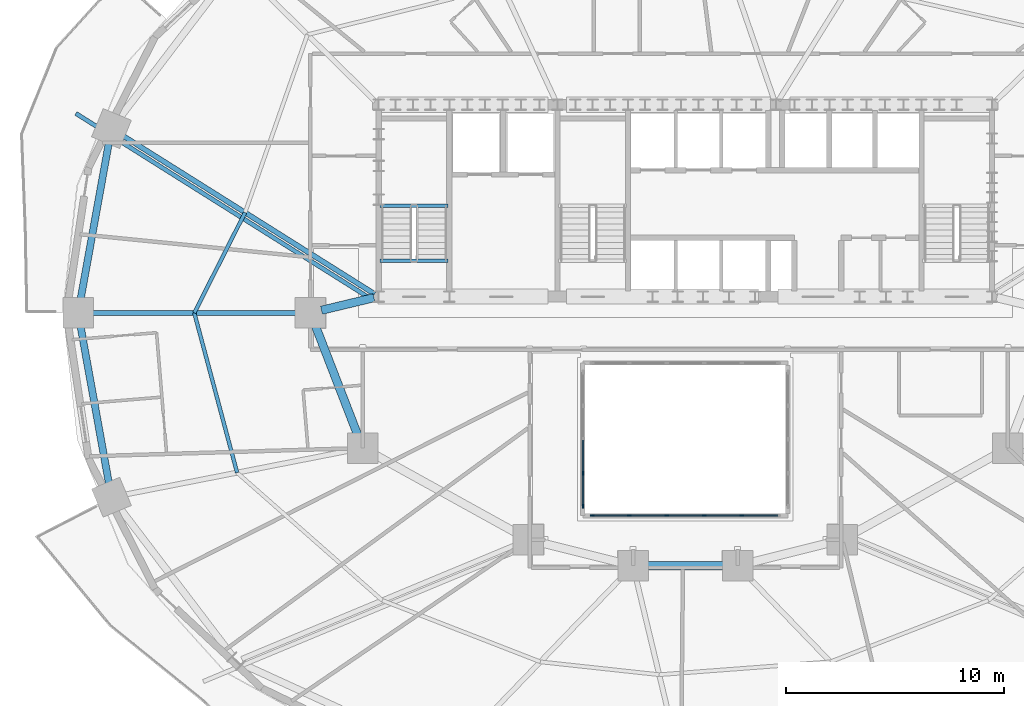
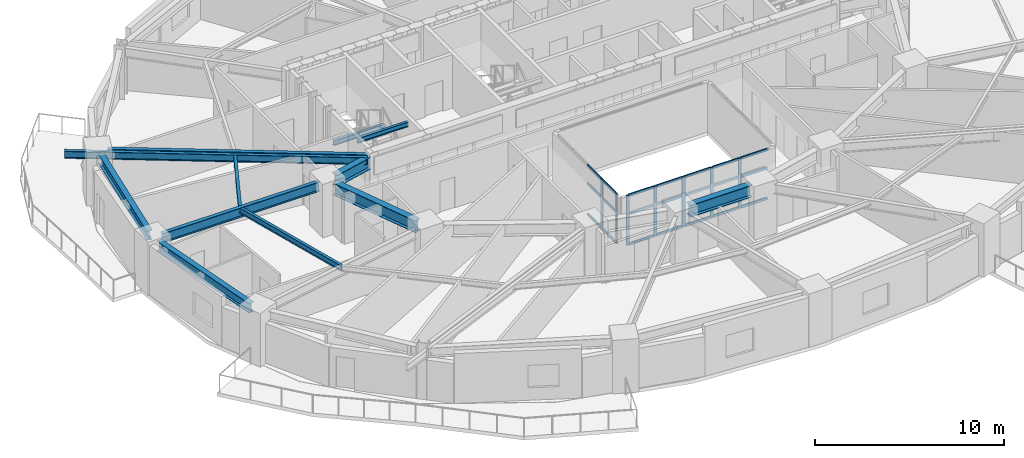
# One storey, part 3 of 15: 28 members, 12 beams, 2 elements without a shape of their own.
"""IFC4 building model written with IfcOpenShell, lengths in metres."""

from ifc_helpers import new_model, si_unit, direction, frame, origin, origin_2d, place, context, subcontext, project, spatial, rectangle, i_section, extrude, material, material_profile, profile_set, type_object, element, aggregate, save


model = new_model("IFC4")

# Units and contexts
model_context = context("Model", 3, precision=1e-05, world=origin(), true_north=direction((0.0, 1.0)))
body_context = subcontext(model_context, "Body", "Model", "MODEL_VIEW")
ifc_project = project(units=[si_unit("LENGTHUNIT", "METRE"), si_unit("AREAUNIT", "SQUARE_METRE"), si_unit("VOLUMEUNIT", "CUBIC_METRE"), si_unit("PLANEANGLEUNIT", "RADIAN"), si_unit("MASSUNIT", "GRAM", prefix="KILO")], contexts=[model_context])

# Site, building, storey
site_placement = place(None, origin())
site = spatial("IfcSite", under=ifc_project, at=site_placement, CompositionType="ELEMENT")
building_placement = place(site_placement, origin())
building = spatial("IfcBuilding", under=site, at=building_placement, Name="Haldorwick Loom Tower", CompositionType="ELEMENT")
storey_placement = place(building_placement, frame((0.0, 0.0, 92.14990234375)))
storey = spatial("IfcBuildingStorey", under=building, at=storey_placement, Name="L24", CompositionType="ELEMENT", Elevation=92.14990234375)

# Curtain wall, members
ifc_material_1 = material(Name="Thermally Broken Anodized Aluminium Curtain Wall Framing", Category="aluminium")
curtain_wall_type = type_object("IfcCurtainWallType", Name="ARC-CW-03", PredefinedType="NOTDEFINED", material=ifc_material_1)
curtain_wall_1_placement = place(storey_placement, origin())
curtain_wall_1 = element("IfcCurtainWall", 1, at=curtain_wall_1_placement, inside=storey, type_object=curtain_wall_type, Name="L24 Atrium Glazed Screen S", PredefinedType="NOTDEFINED")
ifc_material_profile_1 = material_profile(ifc_material_1, rectangle(XDim=0.06591796875, YDim=0.18505859375, at=origin_2d()), Name="ALU_MUL_66X185", Category="aluminium")
ifc_profile_set_1 = profile_set([ifc_material_profile_1], Name="Thermally Broken Anodized Aluminium Curtain Wall Framing")
member_type_1 = type_object("IfcMemberType", Name="ARC-CWM-03", PredefinedType="MULLION", material=ifc_profile_set_1)
member_1_placement = place(storey_placement, frame((38.580078125, 16.699951171875, 0.0), z_axis=(0.0, 0.0, 1.0), x_axis=(0.0, -1.0, 0.0)))
member_1 = element("IfcMember", 2, at=member_1_placement, type_object=member_type_1, Name="CW-03 mullion 2", PredefinedType="MULLION", context=body_context, shape_type="SweptSolid", body=[
    extrude(rectangle(XDim=0.06591796875, YDim=0.18505859375, at=origin_2d()), origin(), (0.0, 0.0, 1.0), 3.210205078125),
])
member_2_placement = place(storey_placement, frame((36.860107421875, 16.699951171875, 0.0), z_axis=(0.0, 0.0, 1.0), x_axis=(0.0, -1.0, 0.0)))
member_2 = element("IfcMember", 3, at=member_2_placement, type_object=member_type_1, Name="CW-03 mullion 3", PredefinedType="MULLION", context=body_context, shape_type="SweptSolid", body=[
    extrude(rectangle(XDim=0.06591796875, YDim=0.18505859375, at=origin_2d()), origin(), (0.0, 0.0, 1.0), 3.210205078125),
])
member_3_placement = place(storey_placement, frame((35.139892578125, 16.699951171875, 0.0), z_axis=(0.0, 0.0, 1.0), x_axis=(0.0, -1.0, 0.0)))
member_3 = element("IfcMember", 4, at=member_3_placement, type_object=member_type_1, Name="CW-03 mullion 4", PredefinedType="MULLION", context=body_context, shape_type="SweptSolid", body=[
    extrude(rectangle(XDim=0.06591796875, YDim=0.18505859375, at=origin_2d()), origin(), (0.0, 0.0, 1.0), 3.210205078125),
])
member_4_placement = place(storey_placement, frame((33.419921875, 16.699951171875, 0.0), z_axis=(0.0, 0.0, 1.0), x_axis=(0.0, -1.0, 0.0)))
member_4 = element("IfcMember", 5, at=member_4_placement, type_object=member_type_1, Name="CW-03 mullion 5", PredefinedType="MULLION", context=body_context, shape_type="SweptSolid", body=[
    extrude(rectangle(XDim=0.06591796875, YDim=0.18505859375, at=origin_2d()), origin(), (0.0, 0.0, 1.0), 3.210205078125),
])
member_5_placement = place(storey_placement, frame((31.73291015625, 16.699951171875, 0.0), z_axis=(0.0, 0.0, 1.0), x_axis=(0.0, -1.0, 0.0)))
member_5 = element("IfcMember", 6, at=member_5_placement, type_object=member_type_1, Name="CW-03 mullion 6", PredefinedType="MULLION", context=body_context, shape_type="SweptSolid", body=[
    extrude(rectangle(XDim=0.06591796875, YDim=0.18505859375, at=origin_2d()), origin(), (0.0, 0.0, 1.0), 3.210205078125),
])

curtain_wall_2_placement = place(storey_placement, origin())
curtain_wall_2 = element("IfcCurtainWall", 7, at=curtain_wall_2_placement, inside=storey, type_object=curtain_wall_type, Name="L24 Atrium Glazed Screen W", PredefinedType="NOTDEFINED")
member_6_placement = place(storey_placement, frame((31.300048828125, 17.133056640625, 0.0), z_axis=(0.0, 0.0, 1.0), x_axis=(-1.0, 0.0, 0.0)))
member_6 = element("IfcMember", 8, at=member_6_placement, type_object=member_type_1, Name="CW-03 mullion 1", PredefinedType="MULLION", context=body_context, shape_type="SweptSolid", body=[
    extrude(rectangle(XDim=0.06591796875, YDim=0.18505859375, at=origin_2d()), origin(), (0.0, 0.0, 1.0), 3.210205078125),
])
member_7_placement = place(storey_placement, frame((31.300048828125, 18.64990234375, 0.0), z_axis=(0.0, 0.0, 1.0), x_axis=(-1.0, 0.0, 0.0)))
member_7 = element("IfcMember", 9, at=member_7_placement, type_object=member_type_1, Name="CW-03 mullion 2", PredefinedType="MULLION", context=body_context, shape_type="SweptSolid", body=[
    extrude(rectangle(XDim=0.06591796875, YDim=0.18505859375, at=origin_2d()), origin(), (0.0, 0.0, 1.0), 3.210205078125),
])

# Member
ifc_material_profile_2 = material_profile(ifc_material_1, rectangle(XDim=0.06591796875, YDim=0.1650390625, at=origin_2d()), Name="ALU_TRN_66X165", Category="aluminium")
ifc_profile_set_2 = profile_set([ifc_material_profile_2], Name="Thermally Broken Anodized Aluminium Curtain Wall Framing")
member_type_2 = type_object("IfcMemberType", Name="ARC-CWT-03", PredefinedType="USERDEFINED", material=ifc_profile_set_2)
member_8_placement = place(storey_placement, frame((40.23388671875, 16.699951171875, 0.033203125), z_axis=(-1.0, 0.0, 0.0), x_axis=(0.0, -1.0, 0.0)))
member_8 = element("IfcMember", 10, at=member_8_placement, type_object=member_type_2, Name="CW-03 transom 1.1", ObjectType="TRANSOM", PredefinedType="USERDEFINED", context=body_context, shape_type="SweptSolid", body=[
    extrude(rectangle(XDim=0.06591796875, YDim=0.1650390625, at=origin_2d()), origin(), (0.0, 0.0, 1.0), 1.620849609375),
])

member_9_placement = place(storey_placement, frame((40.23388671875, 16.699951171875, 2.0), z_axis=(-1.0, 0.0, 0.0), x_axis=(0.0, -1.0, 0.0)))
member_9 = element("IfcMember", 11, at=member_9_placement, type_object=member_type_2, Name="CW-03 transom 1.2", ObjectType="TRANSOM", PredefinedType="USERDEFINED", context=body_context, shape_type="SweptSolid", body=[
    extrude(rectangle(XDim=0.06591796875, YDim=0.1650390625, at=origin_2d()), origin(), (0.0, 0.0, 1.0), 1.620849609375),
])

member_10_placement = place(storey_placement, frame((40.23388671875, 16.699951171875, 3.177001953125), z_axis=(-1.0, 0.0, 0.0), x_axis=(0.0, -1.0, 0.0)))
member_10 = element("IfcMember", 12, at=member_10_placement, type_object=member_type_2, Name="CW-03 transom 1.3", ObjectType="TRANSOM", PredefinedType="USERDEFINED", context=body_context, shape_type="SweptSolid", body=[
    extrude(rectangle(XDim=0.06591796875, YDim=0.1650390625, at=origin_2d()), origin(), (0.0, 0.0, 1.0), 1.620849609375),
])

member_11_placement = place(storey_placement, frame((38.547119140625, 16.699951171875, 0.033203125), z_axis=(-1.0, 0.0, 0.0), x_axis=(0.0, -1.0, 0.0)))
member_11 = element("IfcMember", 13, at=member_11_placement, type_object=member_type_2, Name="CW-03 transom 2.1", ObjectType="TRANSOM", PredefinedType="USERDEFINED", context=body_context, shape_type="SweptSolid", body=[
    extrude(rectangle(XDim=0.06591796875, YDim=0.1650390625, at=origin_2d()), origin(), (0.0, 0.0, 1.0), 1.654052734375),
])

member_12_placement = place(storey_placement, frame((38.547119140625, 16.699951171875, 2.0), z_axis=(-1.0, 0.0, 0.0), x_axis=(0.0, -1.0, 0.0)))
member_12 = element("IfcMember", 14, at=member_12_placement, type_object=member_type_2, Name="CW-03 transom 2.2", ObjectType="TRANSOM", PredefinedType="USERDEFINED", context=body_context, shape_type="SweptSolid", body=[
    extrude(rectangle(XDim=0.06591796875, YDim=0.1650390625, at=origin_2d()), origin(), (0.0, 0.0, 1.0), 1.654052734375),
])

member_13_placement = place(storey_placement, frame((38.547119140625, 16.699951171875, 3.177001953125), z_axis=(-1.0, 0.0, 0.0), x_axis=(0.0, -1.0, 0.0)))
member_13 = element("IfcMember", 15, at=member_13_placement, type_object=member_type_2, Name="CW-03 transom 2.3", ObjectType="TRANSOM", PredefinedType="USERDEFINED", context=body_context, shape_type="SweptSolid", body=[
    extrude(rectangle(XDim=0.06591796875, YDim=0.1650390625, at=origin_2d()), origin(), (0.0, 0.0, 1.0), 1.654052734375),
])

member_14_placement = place(storey_placement, frame((36.826904296875, 16.699951171875, 0.033203125), z_axis=(-1.0, 0.0, 0.0), x_axis=(0.0, -1.0, 0.0)))
member_14 = element("IfcMember", 16, at=member_14_placement, type_object=member_type_2, Name="CW-03 transom 3.1", ObjectType="TRANSOM", PredefinedType="USERDEFINED", context=body_context, shape_type="SweptSolid", body=[
    extrude(rectangle(XDim=0.06591796875, YDim=0.1650390625, at=origin_2d()), origin(), (0.0, 0.0, 1.0), 1.65380859375),
])

member_15_placement = place(storey_placement, frame((36.826904296875, 16.699951171875, 2.0), z_axis=(-1.0, 0.0, 0.0), x_axis=(0.0, -1.0, 0.0)))
member_15 = element("IfcMember", 17, at=member_15_placement, type_object=member_type_2, Name="CW-03 transom 3.2", ObjectType="TRANSOM", PredefinedType="USERDEFINED", context=body_context, shape_type="SweptSolid", body=[
    extrude(rectangle(XDim=0.06591796875, YDim=0.1650390625, at=origin_2d()), origin(), (0.0, 0.0, 1.0), 1.65380859375),
])

member_16_placement = place(storey_placement, frame((36.826904296875, 16.699951171875, 3.177001953125), z_axis=(-1.0, 0.0, 0.0), x_axis=(0.0, -1.0, 0.0)))
member_16 = element("IfcMember", 18, at=member_16_placement, type_object=member_type_2, Name="CW-03 transom 3.3", ObjectType="TRANSOM", PredefinedType="USERDEFINED", context=body_context, shape_type="SweptSolid", body=[
    extrude(rectangle(XDim=0.06591796875, YDim=0.1650390625, at=origin_2d()), origin(), (0.0, 0.0, 1.0), 1.65380859375),
])

member_17_placement = place(storey_placement, frame((35.10693359375, 16.699951171875, 0.033203125), z_axis=(-1.0, 0.0, 0.0), x_axis=(0.0, -1.0, 0.0)))
member_17 = element("IfcMember", 19, at=member_17_placement, type_object=member_type_2, Name="CW-03 transom 4.1", ObjectType="TRANSOM", PredefinedType="USERDEFINED", context=body_context, shape_type="SweptSolid", body=[
    extrude(rectangle(XDim=0.06591796875, YDim=0.1650390625, at=origin_2d()), origin(), (0.0, 0.0, 1.0), 1.654052734375),
])

member_18_placement = place(storey_placement, frame((35.10693359375, 16.699951171875, 2.0), z_axis=(-1.0, 0.0, 0.0), x_axis=(0.0, -1.0, 0.0)))
member_18 = element("IfcMember", 20, at=member_18_placement, type_object=member_type_2, Name="CW-03 transom 4.2", ObjectType="TRANSOM", PredefinedType="USERDEFINED", context=body_context, shape_type="SweptSolid", body=[
    extrude(rectangle(XDim=0.06591796875, YDim=0.1650390625, at=origin_2d()), origin(), (0.0, 0.0, 1.0), 1.654052734375),
])

member_19_placement = place(storey_placement, frame((35.10693359375, 16.699951171875, 3.177001953125), z_axis=(-1.0, 0.0, 0.0), x_axis=(0.0, -1.0, 0.0)))
member_19 = element("IfcMember", 21, at=member_19_placement, type_object=member_type_2, Name="CW-03 transom 4.3", ObjectType="TRANSOM", PredefinedType="USERDEFINED", context=body_context, shape_type="SweptSolid", body=[
    extrude(rectangle(XDim=0.06591796875, YDim=0.1650390625, at=origin_2d()), origin(), (0.0, 0.0, 1.0), 1.654052734375),
])

member_20_placement = place(storey_placement, frame((33.386962890625, 16.699951171875, 0.033203125), z_axis=(-1.0, 0.0, 0.0), x_axis=(0.0, -1.0, 0.0)))
member_20 = element("IfcMember", 22, at=member_20_placement, type_object=member_type_2, Name="CW-03 transom 5.1", ObjectType="TRANSOM", PredefinedType="USERDEFINED", context=body_context, shape_type="SweptSolid", body=[
    extrude(rectangle(XDim=0.06591796875, YDim=0.1650390625, at=origin_2d()), origin(), (0.0, 0.0, 1.0), 1.620849609375),
])

member_21_placement = place(storey_placement, frame((33.386962890625, 16.699951171875, 2.0), z_axis=(-1.0, 0.0, 0.0), x_axis=(0.0, -1.0, 0.0)))
member_21 = element("IfcMember", 23, at=member_21_placement, type_object=member_type_2, Name="CW-03 transom 5.2", ObjectType="TRANSOM", PredefinedType="USERDEFINED", context=body_context, shape_type="SweptSolid", body=[
    extrude(rectangle(XDim=0.06591796875, YDim=0.1650390625, at=origin_2d()), origin(), (0.0, 0.0, 1.0), 1.620849609375),
])

member_22_placement = place(storey_placement, frame((33.386962890625, 16.699951171875, 3.177001953125), z_axis=(-1.0, 0.0, 0.0), x_axis=(0.0, -1.0, 0.0)))
member_22 = element("IfcMember", 24, at=member_22_placement, type_object=member_type_2, Name="CW-03 transom 5.3", ObjectType="TRANSOM", PredefinedType="USERDEFINED", context=body_context, shape_type="SweptSolid", body=[
    extrude(rectangle(XDim=0.06591796875, YDim=0.1650390625, at=origin_2d()), origin(), (0.0, 0.0, 1.0), 1.620849609375),
])

aggregate(curtain_wall_1, [member_1, member_2, member_3, member_4, member_5, member_8, member_9, member_10, member_11, member_12, member_13, member_14, member_15, member_16, member_17, member_18, member_19, member_20, member_21, member_22])

member_23_placement = place(storey_placement, frame((31.300048828125, 17.166015625, 0.033203125), z_axis=(0.0, 1.0, 0.0), x_axis=(-1.0, 0.0, 0.0)))
member_23 = element("IfcMember", 25, at=member_23_placement, type_object=member_type_2, Name="CW-03 transom 1.1", ObjectType="TRANSOM", PredefinedType="USERDEFINED", context=body_context, shape_type="SweptSolid", body=[
    extrude(rectangle(XDim=0.06591796875, YDim=0.1650390625, at=origin_2d()), origin(), (0.0, 0.0, 1.0), 1.450927734375),
])

member_24_placement = place(storey_placement, frame((31.300048828125, 17.166015625, 2.0), z_axis=(0.0, 1.0, 0.0), x_axis=(-1.0, 0.0, 0.0)))
member_24 = element("IfcMember", 26, at=member_24_placement, type_object=member_type_2, Name="CW-03 transom 1.2", ObjectType="TRANSOM", PredefinedType="USERDEFINED", context=body_context, shape_type="SweptSolid", body=[
    extrude(rectangle(XDim=0.06591796875, YDim=0.1650390625, at=origin_2d()), origin(), (0.0, 0.0, 1.0), 1.450927734375),
])

member_25_placement = place(storey_placement, frame((31.300048828125, 17.166015625, 3.177001953125), z_axis=(0.0, 1.0, 0.0), x_axis=(-1.0, 0.0, 0.0)))
member_25 = element("IfcMember", 27, at=member_25_placement, type_object=member_type_2, Name="CW-03 transom 1.3", ObjectType="TRANSOM", PredefinedType="USERDEFINED", context=body_context, shape_type="SweptSolid", body=[
    extrude(rectangle(XDim=0.06591796875, YDim=0.1650390625, at=origin_2d()), origin(), (0.0, 0.0, 1.0), 1.450927734375),
])

member_26_placement = place(storey_placement, frame((31.300048828125, 18.68310546875, 0.033203125), z_axis=(0.0, 1.0, 0.0), x_axis=(-1.0, 0.0, 0.0)))
member_26 = element("IfcMember", 28, at=member_26_placement, type_object=member_type_2, Name="CW-03 transom 2.1", ObjectType="TRANSOM", PredefinedType="USERDEFINED", context=body_context, shape_type="SweptSolid", body=[
    extrude(rectangle(XDim=0.06591796875, YDim=0.1650390625, at=origin_2d()), origin(), (0.0, 0.0, 1.0), 1.48388671875),
])

member_27_placement = place(storey_placement, frame((31.300048828125, 18.68310546875, 2.0), z_axis=(0.0, 1.0, 0.0), x_axis=(-1.0, 0.0, 0.0)))
member_27 = element("IfcMember", 29, at=member_27_placement, type_object=member_type_2, Name="CW-03 transom 2.2", ObjectType="TRANSOM", PredefinedType="USERDEFINED", context=body_context, shape_type="SweptSolid", body=[
    extrude(rectangle(XDim=0.06591796875, YDim=0.1650390625, at=origin_2d()), origin(), (0.0, 0.0, 1.0), 1.48388671875),
])

member_28_placement = place(storey_placement, frame((31.300048828125, 18.68310546875, 3.177001953125), z_axis=(0.0, 1.0, 0.0), x_axis=(-1.0, 0.0, 0.0)))
member_28 = element("IfcMember", 30, at=member_28_placement, type_object=member_type_2, Name="CW-03 transom 2.3", ObjectType="TRANSOM", PredefinedType="USERDEFINED", context=body_context, shape_type="SweptSolid", body=[
    extrude(rectangle(XDim=0.06591796875, YDim=0.1650390625, at=origin_2d()), origin(), (0.0, 0.0, 1.0), 1.48388671875),
])

aggregate(curtain_wall_2, [member_6, member_7, member_23, member_24, member_25, member_26, member_27, member_28])

# Beams
ifc_material_2 = material(Name="Steel CSA G40.21 350W", Category="steel")
ifc_material_profile_3 = material_profile(ifc_material_2, i_section(OverallWidth=0.193115234375, OverallDepth=0.466064453125, WebThickness=0.011474609375, FlangeThickness=0.01904296875, at=origin_2d()), Name="W460X97", Category="steel")
ifc_profile_set_3 = profile_set([ifc_material_profile_3], Name="Steel CSA G40.21 350W")
beam_type_1 = type_object("IfcBeamType", Name="STR-BM-BAL460", PredefinedType="BEAM", material=ifc_profile_set_3)
beam_1_placement = place(storey_placement, frame((21.590576171875, 26.6328125, 2.97705078125), z_axis=(-0.846621037802, 0.532196221662, 0.0), x_axis=(-0.532196221662, -0.846621037802, 0.0)))
element("IfcBeam", 31, at=beam_1_placement, inside=storey, type_object=beam_type_1, Name="L24 Continuous Back-Spanned Balcony Beam 3", PredefinedType="BEAM", context=body_context, shape_type="SweptSolid", body=[
    extrude(i_section(OverallWidth=0.193115234375, OverallDepth=0.466064453125, WebThickness=0.011474609375, FlangeThickness=0.01904296875, at=origin_2d()), origin(), (0.0, 0.0, 1.0), 16.0068359375),
])
ifc_material_profile_4 = material_profile(ifc_material_2, i_section(OverallWidth=0.172119140625, OverallDepth=0.35791015625, WebThickness=0.0078125, FlangeThickness=0.01318359375, at=origin_2d()), Name="W360X57", Category="steel")
ifc_profile_set_4 = profile_set([ifc_material_profile_4], Name="Steel CSA G40.21 350W")
beam_type_2 = type_object("IfcBeamType", Name="STR-BM-J360", PredefinedType="JOIST", material=ifc_profile_set_4)
beam_2_placement = place(storey_placement, frame((15.7998046875, 30.603515625, 3.031005859375), z_axis=(-0.451373231558, -0.892335254169, 0.0), x_axis=(0.892335254169, -0.451373231558, 0.0)))
element("IfcBeam", 32, at=beam_2_placement, inside=storey, type_object=beam_type_2, Name="L24 Mid-Bay Secondary Joist 8", PredefinedType="JOIST", context=body_context, shape_type="SweptSolid", body=[
    extrude(i_section(OverallWidth=0.172119140625, OverallDepth=0.35791015625, WebThickness=0.0078125, FlangeThickness=0.01318359375, at=origin_2d()), origin(), (0.0, 0.0, 1.0), 5.158935546875),
])
beam_3_placement = place(storey_placement, frame((13.47119140625, 26.0, 3.031005859375), z_axis=(0.258810072536, -0.965928230436, 0.0), x_axis=(0.965928230436, 0.258810072536, 0.0)))
element("IfcBeam", 33, at=beam_3_placement, inside=storey, type_object=beam_type_2, Name="L24 Mid-Bay Secondary Joist 9", PredefinedType="JOIST", context=body_context, shape_type="SweptSolid", body=[
    extrude(i_section(OverallWidth=0.172119140625, OverallDepth=0.35791015625, WebThickness=0.0078125, FlangeThickness=0.01318359375, at=origin_2d()), origin(), (0.0, 0.0, 1.0), 7.587158203125),
])
ifc_material_profile_5 = material_profile(ifc_material_2, i_section(OverallWidth=0.324951171875, OverallDepth=0.615966796875, WebThickness=0.013916015625, FlangeThickness=0.021484375, at=origin_2d()), Name="W610X174", Category="steel")
ifc_profile_set_5 = profile_set([ifc_material_profile_5], Name="Steel CSA G40.21 350W")
beam_type_3 = type_object("IfcBeamType", Name="STR-BM-SP610", PredefinedType="SPANDREL", material=ifc_profile_set_5)
for number, where, z_axis, x_axis, name in (
    (34, (9.576904296875, 33.945556640625, 2.902099609375), (-0.177659490888, -0.984092020747, 0.0), (0.984092020747, -0.177659490888, 0.0), "L24 Perimeter Spandrel 8"),
    (35, (8.23486328125, 25.48828125, 2.902099609375), (0.177659490888, -0.984092020747, 0.0), (0.984092020747, 0.177659490888, 0.0), "L24 Perimeter Spandrel 9"),
):
    element("IfcBeam", number, at=place(storey_placement, frame(where, z_axis=z_axis, x_axis=x_axis)), inside=storey, type_object=beam_type_3, Name=name, PredefinedType="SPANDREL", context=body_context, shape_type="SweptSolid", body=[
        extrude(i_section(OverallWidth=0.324951171875, OverallDepth=0.615966796875, WebThickness=0.013916015625, FlangeThickness=0.021484375, at=origin_2d()), origin(), (0.0, 0.0, 1.0), 7.553955078125),
    ])
ifc_material_profile_6 = material_profile(ifc_material_2, i_section(OverallWidth=0.166015625, OverallDepth=0.31298828125, WebThickness=0.006591796875, FlangeThickness=0.01123046875, at=origin_2d()), Name="W310X45", Category="steel")
ifc_profile_set_6 = profile_set([ifc_material_profile_6], Name="Steel CSA G40.21 350W")
beam_type_4 = type_object("IfcBeamType", Name="STR-BM-STRM", PredefinedType="BEAM", material=ifc_profile_set_6)
for number, where, z_axis, x_axis, name in (
    (36, (21.989990234375, 28.39990234375, 3.0537109375), (1.0, 0.0, 0.0), (0.0, 1.0, 0.0), "L24 Stair ST-01 Landing Edge Trimmer"),
    (37, (21.989990234375, 30.919921875, 1.36865234375), (1.0, 0.0, 0.0), (0.0, 1.0, 0.0), "L24 Stair ST-01 Half-Landing Trimmer 1"),
):
    element("IfcBeam", number, at=place(storey_placement, frame(where, z_axis=z_axis, x_axis=x_axis)), inside=storey, type_object=beam_type_4, Name=name, PredefinedType="BEAM", context=body_context, shape_type="SweptSolid", body=[
        extrude(i_section(OverallWidth=0.166015625, OverallDepth=0.31298828125, WebThickness=0.006591796875, FlangeThickness=0.01123046875, at=origin_2d()), origin(), (0.0, 0.0, 1.0), 3.1201171875),
    ])
ifc_material_profile_7 = material_profile(ifc_material_2, i_section(OverallWidth=0.22998046875, OverallDepth=0.616943359375, WebThickness=0.01318359375, FlangeThickness=0.022216796875, at=origin_2d()), Name="W610X140", Category="steel")
ifc_profile_set_7 = profile_set([ifc_material_profile_7], Name="Steel CSA G40.21 350W")
beam_type_5 = type_object("IfcBeamType", Name="STR-BM-W610B", PredefinedType="BEAM", material=ifc_profile_set_7)
beam_4_placement = place(storey_placement, frame((21.739501953125, 26.86962890625, 2.901611328125), z_axis=(-0.846609551433, 0.532214493811, 0.0), x_axis=(-0.532214493811, -0.846609551433, 0.0)))
element("IfcBeam", 38, at=beam_4_placement, inside=storey, type_object=beam_type_5, Name="L24 Radial Floor Girder 8", PredefinedType="BEAM", context=body_context, shape_type="SweptSolid", body=[
    extrude(i_section(OverallWidth=0.22998046875, OverallDepth=0.616943359375, WebThickness=0.01318359375, FlangeThickness=0.022216796875, at=origin_2d()), origin(), (0.0, 0.0, 1.0), 13.737060546875),
])
beam_5_placement = place(storey_placement, frame((18.280029296875, 26.0, 2.901611328125), z_axis=(-1.0, 0.0, 0.0), x_axis=(0.0, -1.0, 0.0)))
element("IfcBeam", 39, at=beam_5_placement, inside=storey, type_object=beam_type_5, Name="L24 Radial Floor Girder 9", PredefinedType="BEAM", context=body_context, shape_type="SweptSolid", body=[
    extrude(i_section(OverallWidth=0.22998046875, OverallDepth=0.616943359375, WebThickness=0.01318359375, FlangeThickness=0.022216796875, at=origin_2d()), origin(), (0.0, 0.0, 1.0), 9.61767578125),
])
ifc_material_profile_8 = material_profile(ifc_material_2, i_section(OverallWidth=0.381103515625, OverallDepth=0.77294921875, WebThickness=0.0166015625, FlangeThickness=0.027587890625, at=origin_2d()), Name="W760X257", Category="steel")
ifc_profile_set_8 = profile_set([ifc_material_profile_8], Name="Steel CSA G40.21 350W")
beam_type_6 = type_object("IfcBeamType", Name="STR-BM-W760", PredefinedType="BEAM", material=ifc_profile_set_8)
beam_6_placement = place(storey_placement, frame((37.8798828125, 14.39990234375, 2.823486328125), z_axis=(-1.0, 0.0, 0.0), x_axis=(0.0, -1.0, 0.0)))
element("IfcBeam", 40, at=beam_6_placement, inside=storey, type_object=beam_type_6, Name="L24 Inner Ring Girder 5", PredefinedType="BEAM", context=body_context, shape_type="SweptSolid", body=[
    extrude(i_section(OverallWidth=0.381103515625, OverallDepth=0.77294921875, WebThickness=0.0166015625, FlangeThickness=0.027587890625, at=origin_2d()), origin(), (0.0, 0.0, 1.0), 3.759765625),
])
beam_7_placement = place(storey_placement, frame((21.01220703125, 20.284912109375, 2.823486328125), z_axis=(-0.360964792353, 0.93257944363, 0.0), x_axis=(-0.93257944363, -0.360964792353, 0.0)))
element("IfcBeam", 41, at=beam_7_placement, inside=storey, type_object=beam_type_6, Name="L24 Inner Ring Girder 8", PredefinedType="BEAM", context=body_context, shape_type="SweptSolid", body=[
    extrude(i_section(OverallWidth=0.381103515625, OverallDepth=0.77294921875, WebThickness=0.0166015625, FlangeThickness=0.027587890625, at=origin_2d()), origin(), (0.0, 0.0, 1.0), 5.6083984375),
])
beam_8_placement = place(storey_placement, frame((19.3056640625, 26.12109375, 2.823486328125), z_axis=(0.97247055837, 0.233025777764, 0.0), x_axis=(-0.233025777764, 0.97247055837, 0.0)))
element("IfcBeam", 42, at=beam_8_placement, inside=storey, type_object=beam_type_6, Name="L24 Inner Ring Girder 9", PredefinedType="BEAM", context=body_context, shape_type="SweptSolid", body=[
    extrude(i_section(OverallWidth=0.381103515625, OverallDepth=0.77294921875, WebThickness=0.0166015625, FlangeThickness=0.027587890625, at=origin_2d()), origin(), (0.0, 0.0, 1.0), 2.4736328125),
])

save(model, "model.ifc")
